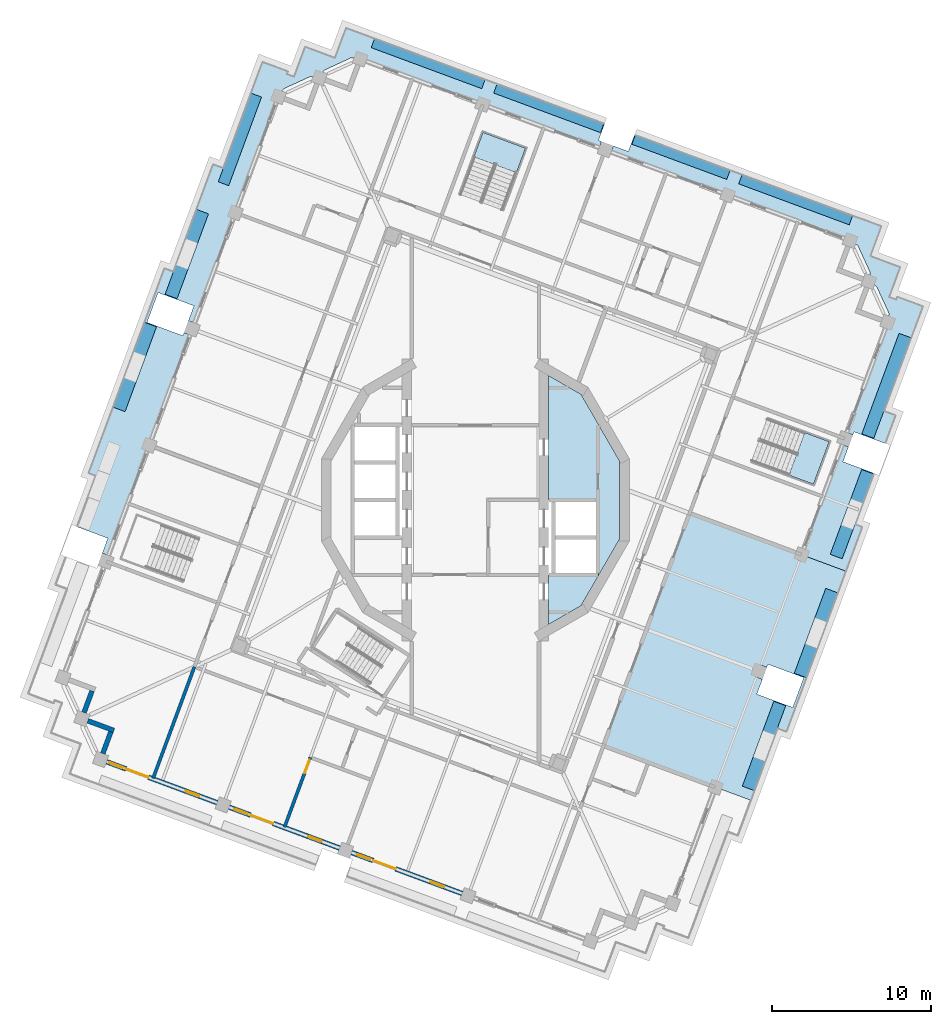
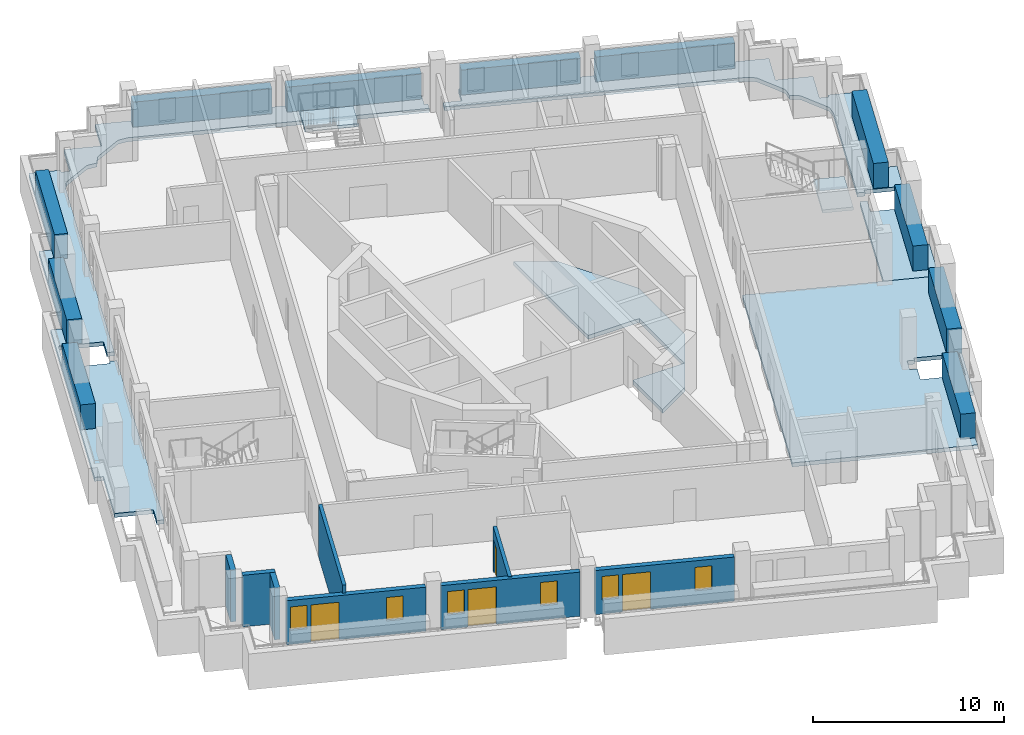
# One storey, part 3 of 18: 11 plates, 8 walls, 7 slabs, 6 windows, 4 doors, 10 openings, 2 elements without a shape of their own.
"""IFC4 building model written with IfcOpenShell, lengths in metres."""

from ifc_helpers import new_model, si_unit, direction, frame, frame_2d, origin, origin_2d, place, context, subcontext, project, spatial, polyline, rectangle, outline, extrude, material, layer, layer_set, type_object, element, fill, aggregate, save


model = new_model("IFC4")

# Units and contexts
model_context = context("Model", 3, precision=1e-05, world=origin(), true_north=direction((0.0, 1.0)))
body_context = subcontext(model_context, "Body", "Model", "MODEL_VIEW")
ifc_project = project(units=[si_unit("LENGTHUNIT", "METRE"), si_unit("AREAUNIT", "SQUARE_METRE"), si_unit("VOLUMEUNIT", "CUBIC_METRE"), si_unit("PLANEANGLEUNIT", "RADIAN"), si_unit("MASSUNIT", "GRAM", prefix="KILO")], contexts=[model_context])

# Site, building, storey
site_placement = place(None, origin())
site = spatial("IfcSite", under=ifc_project, at=site_placement, CompositionType="ELEMENT")
building_placement = place(site_placement, origin())
building = spatial("IfcBuilding", under=site, at=building_placement, Name="Cantera Rosa Tower", CompositionType="ELEMENT")
storey_placement = place(building_placement, frame((0.0, 0.0, 338.5)))
storey = spatial("IfcBuildingStorey", under=building, at=storey_placement, Name="L76", CompositionType="ELEMENT", Elevation=338.5)

# Slabs
ifc_material_1 = material(Name="Concrete C35/45", Category="concrete")
ifc_layer_1 = layer(ifc_material_1, 0.25)
ifc_layer_set_1 = layer_set([ifc_layer_1], Name="COMPOSITE FLOOR SLAB 250 C35/45")
slab_type_1 = type_object("IfcSlabType", Name="COMPOSITE FLOOR SLAB 250 C35/45", PredefinedType="FLOOR", material=ifc_layer_set_1)
slab_1_placement = place(storey_placement, frame((0.0, 0.0, -0.25)))
element("IfcSlab", 1, at=slab_1_placement, inside=storey, type_object=slab_type_1, Name="SLAB L76 floor 3", PredefinedType="FLOOR", context=body_context, shape_type="SweptSolid", body=[
    extrude(outline(polyline([(4.60009765625, 7.804931640625), (6.6318359375, 6.6318359375), (9.059326171875, 2.427490234375), (9.059326171875, -2.427490234375), (6.6318359375, -6.6318359375), (4.60009765625, -7.804931640625), (4.60009765625, -4.699951171875), (7.699951171875, -4.699951171875), (7.699951171875, -2.35009765625), (7.699951171875, 0.0), (4.60009765625, 0.0), (4.60009765625, 7.804931640625)])), origin(), (0.0, 0.0, 1.0), 0.25),
])
ifc_material_2 = material(Name="Concrete C35/45", Category="concrete")
ifc_layer_2 = layer(ifc_material_2, 0.25)
ifc_layer_set_2 = layer_set([ifc_layer_2], Name="LOGGIA SLAB 250 C35/45")
slab_type_2 = type_object("IfcSlabType", Name="LOGGIA SLAB 250 C35/45", PredefinedType="FLOOR", material=ifc_layer_set_2)
slab_2_placement = place(storey_placement, frame((0.0, 0.0, -0.25)))
element("IfcSlab", 2, at=slab_2_placement, inside=storey, type_object=slab_type_2, Name="LOGGIA SLAB L76 2", PredefinedType="FLOOR", context=body_context, shape_type="SweptSolid", body=[
    extrude(outline(polyline([(-15.828369140625, 20.81884765625), (-13.359619140625, 27.480712890625), (-11.787841796875, 26.898193359375), (-11.84912109375, 26.733154296875), (-11.380126953125, 26.559326171875), (-11.20654296875, 27.0283203125), (-10.685302734375, 28.434814453125), (-9.27880859375, 27.91357421875), (-8.809814453125, 27.73974609375), (-8.63623046875, 28.208740234375), (-8.114990234375, 29.615234375), (-6.70849609375, 29.093994140625), (-0.42578125, 26.765869140625), (2.38720703125, 25.723388671875), (7.26318359375, 23.91650390625), (8.10693359375, 23.603759765625), (7.724853515625, 22.572265625), (7.912353515625, 22.502685546875), (7.7734375, 22.127685546875), (-6.25048828125, 27.32470703125), (-7.2294921875, 27.6875), (-7.6962890625, 27.74755859375), (-7.7255859375, 27.750732421875), (-7.7548828125, 27.751220703125), (-7.784423828125, 27.74853515625), (-7.813232421875, 27.7431640625), (-7.841552734375, 27.735107421875), (-7.868896484375, 27.72412109375), (-9.4111328125, 27.015625), (-9.437255859375, 27.002197265625), (-9.4619140625, 26.986083984375), (-9.48486328125, 26.9677734375), (-9.505859375, 26.947021484375), (-9.52490234375, 26.924560546875), (-9.54150390625, 26.900146484375), (-9.800048828125, 26.507080078125), (-10.2666015625, 26.567138671875), (-10.2958984375, 26.5703125), (-10.325439453125, 26.57080078125), (-10.354736328125, 26.568115234375), (-10.383544921875, 26.562744140625), (-10.411865234375, 26.554443359375), (-10.439208984375, 26.543701171875), (-11.9814453125, 25.835205078125), (-12.007568359375, 25.82177734375), (-12.0322265625, 25.8056640625), (-12.05517578125, 25.787353515625), (-12.076171875, 25.7666015625), (-12.09521484375, 25.744140625), (-12.11181640625, 25.7197265625), (-12.370361328125, 25.32666015625), (-12.733154296875, 24.347412109375), (-17.63818359375, 11.111328125), (-18.01318359375, 11.250244140625), (-17.665771484375, 12.18798828125), (-19.916259765625, 13.02197265625), (-20.611083984375, 11.146484375), (-18.360595703125, 10.3125), (-18.291259765625, 10.5), (-17.916015625, 10.361083984375), (-23.044921875, -3.47900390625), (-23.419921875, -3.340087890625), (-23.072509765625, -2.40234375), (-25.012451171875, -1.68359375), (-23.819580078125, 1.53515625), (-24.2685546875, 1.701416015625), (-19.5166015625, 14.524169921875), (-18.9580078125, 14.317138671875), (-16.461669921875, 21.053466796875), (-15.828369140625, 20.81884765625)])), origin(), (0.0, 0.0, 1.0), 0.25),
])
slab_3_placement = place(storey_placement, frame((0.0, 0.0, -0.25)))
element("IfcSlab", 3, at=slab_3_placement, inside=storey, type_object=slab_type_2, Name="LOGGIA SLAB L76 4", PredefinedType="FLOOR", context=body_context, shape_type="SweptSolid", body=[
    extrude(outline(polyline([(25.46435546875, 17.179931640625), (24.76953125, 15.3046875), (25.23095703125, 15.1337890625), (26.644775390625, 14.609619140625), (26.120849609375, 13.19580078125), (25.949951171875, 12.734375), (26.411376953125, 12.563232421875), (26.47802734375, 12.743408203125), (28.072021484375, 12.152587890625), (25.6357421875, 5.578369140625), (26.356689453125, 5.311279296875), (25.707275390625, 3.558837890625), (23.767578125, 4.27783203125), (23.697998046875, 4.09033203125), (23.322998046875, 4.229248046875), (25.88720703125, 11.1494140625), (25.947509765625, 11.6162109375), (25.95068359375, 11.6455078125), (25.950927734375, 11.6748046875), (25.948486328125, 11.7041015625), (25.943115234375, 11.733154296875), (25.934814453125, 11.76123046875), (25.923828125, 11.788818359375), (25.215576171875, 13.330810546875), (25.201904296875, 13.35693359375), (25.18603515625, 13.381591796875), (25.16748046875, 13.404541015625), (25.14697265625, 13.42578125), (25.12451171875, 13.444580078125), (25.10009765625, 13.461181640625), (24.706787109375, 13.7197265625), (24.76708984375, 14.186279296875), (24.770263671875, 14.2158203125), (24.7705078125, 14.2451171875), (24.76806640625, 14.2744140625), (24.7626953125, 14.303466796875), (24.75439453125, 14.331787109375), (24.743408203125, 14.35888671875), (24.03515625, 15.901123046875), (24.021484375, 15.92724609375), (24.005615234375, 15.951904296875), (23.987060546875, 15.974853515625), (23.966552734375, 15.99609375), (23.944091796875, 16.014892578125), (23.919677734375, 16.031494140625), (23.526611328125, 16.2900390625), (8.5234375, 21.849853515625), (8.66259765625, 22.224853515625), (9.60009765625, 21.87744140625), (9.982421875, 22.90869140625), (10.076171875, 22.8740234375), (14.9521484375, 21.067138671875), (17.76513671875, 20.024658203125), (24.047607421875, 17.696533203125), (24.050537109375, 17.7041015625), (25.46435546875, 17.179931640625)])), origin(), (0.0, 0.0, 1.0), 0.25),
])
slab_4_placement = place(storey_placement, frame((0.0, 0.0, -0.25)))
element("IfcSlab", 4, at=slab_4_placement, inside=storey, type_object=slab_type_2, Name="LOGGIA SLAB L76 5", PredefinedType="FLOOR", context=body_context, shape_type="SweptSolid", body=[
    extrude(outline(polyline([(25.012451171875, 1.68359375), (23.819580078125, -1.53515625), (24.2685546875, -1.701416015625), (23.244384765625, -4.465087890625), (20.48046875, -3.44091796875), (23.044921875, 3.47900390625), (23.419921875, 3.340087890625), (23.072509765625, 2.40234375), (25.012451171875, 1.68359375)])), origin(), (0.0, 0.0, 1.0), 0.25),
])

# Plates
ifc_material_3 = material(Name="Cantera stone planter with soil", Category="masonry")
plate_type_1 = type_object("IfcPlateType", Name="PLANTER 600", PredefinedType="USERDEFINED", material=ifc_material_3)
plate_1_placement = place(storey_placement, frame((20.098876953125, 18.83984375, 0.0), z_axis=(0.0, 0.0, 1.0), x_axis=(-0.937686936924, 0.347481234489, 0.0)))
element("IfcPlate", 5, at=plate_1_placement, inside=storey, type_object=plate_type_1, Name="PLANTER L76-01", ObjectType="PLANTER", PredefinedType="USERDEFINED", context=body_context, shape_type="SweptSolid", body=[
    extrude(rectangle(XDim=7.39990234375, YDim=0.60009765625, at=origin_2d()), origin(), (0.0, 0.0, 1.0), 1.60009765625),
])
plate_2_placement = place(storey_placement, frame((12.902099609375, 21.5068359375, 0.0), z_axis=(0.0, 0.0, 1.0), x_axis=(-0.937686936924, 0.347481234489, 0.0)))
element("IfcPlate", 6, at=plate_2_placement, inside=storey, type_object=plate_type_1, Name="PLANTER L76-02", ObjectType="PLANTER", PredefinedType="USERDEFINED", context=body_context, shape_type="SweptSolid", body=[
    extrude(rectangle(XDim=6.35009765625, YDim=0.60009765625, at=origin_2d()), origin(), (0.0, 0.0, 1.0), 1.60009765625),
])
plate_3_placement = place(storey_placement, frame((4.603759765625, 24.58203125, 0.0), z_axis=(0.0, 0.0, 1.0), x_axis=(-0.937686936924, 0.347481234489, 0.0)))
element("IfcPlate", 7, at=plate_3_placement, inside=storey, type_object=plate_type_1, Name="PLANTER L76-03", ObjectType="PLANTER", PredefinedType="USERDEFINED", context=body_context, shape_type="SweptSolid", body=[
    extrude(rectangle(XDim=7.14990234375, YDim=0.60009765625, at=origin_2d()), origin(), (0.0, 0.0, 1.0), 1.60009765625),
])
plate_4_placement = place(storey_placement, frame((-2.968017578125, 27.387939453125, 0.0), z_axis=(0.0, 0.0, 1.0), x_axis=(-0.937686936924, 0.347481234489, 0.0)))
element("IfcPlate", 8, at=plate_4_placement, inside=storey, type_object=plate_type_1, Name="PLANTER L76-04", ObjectType="PLANTER", PredefinedType="USERDEFINED", context=body_context, shape_type="SweptSolid", body=[
    extrude(rectangle(XDim=7.39990234375, YDim=0.60009765625, at=origin_2d()), origin(), (0.0, 0.0, 1.0), 1.60009765625),
])
ifc_material_4 = material(Name="Cantera stone planter with soil", Category="masonry")
plate_type_2 = type_object("IfcPlateType", Name="PLANTER 700", PredefinedType="USERDEFINED", material=ifc_material_4)
plate_5_placement = place(storey_placement, frame((-14.783203125, 22.632080078125, 0.0), z_axis=(0.0, 0.0, 1.0), x_axis=(-0.347481234489, -0.937686936924, 0.0)))
element("IfcPlate", 9, at=plate_5_placement, inside=storey, type_object=plate_type_2, Name="PLANTER L76-05", ObjectType="PLANTER", PredefinedType="USERDEFINED", context=body_context, shape_type="SweptSolid", body=[
    extrude(rectangle(XDim=5.929931640625, YDim=0.699951171875, at=origin_2d()), origin(), (0.0, 0.0, 1.0), 1.60009765625),
])
ifc_material_5 = material(Name="Cantera stone planter with soil", Category="masonry")
plate_type_3 = type_object("IfcPlateType", Name="PLANTER 800", PredefinedType="USERDEFINED", material=ifc_material_5)
for number, where, z_axis, x_axis, name in (
    (10, (-18.1162109375, 15.43701171875, 0.0), (0.0, 0.0, 1.0), (-0.347481234489, -0.937686936924, 0.0), "PLANTER L76-06"),
    (11, (-21.37841796875, 8.348876953125, 0.0), (0.0, 0.0, 1.0), (-0.347481234489, -0.937686936924, 0.0), "PLANTER L76-07"),
    (12, (18.1162109375, -15.43701171875, 0.0), (0.0, 0.0, 1.0), (0.347481234489, 0.937686936924, 0.0), "PLANTER L76-15"),
    (13, (21.37841796875, -8.348876953125, 0.0), (0.0, 0.0, 1.0), (0.347481234489, 0.937686936924, 0.0), "PLANTER L76-16"),
    (14, (23.633056640625, -0.887451171875, 0.0), (0.0, 0.0, 1.0), (0.347481234489, 0.937686936924, 0.0), "PLANTER L76-17"),
):
    element("IfcPlate", number, at=place(storey_placement, frame(where, z_axis=z_axis, x_axis=x_axis)), inside=storey, type_object=plate_type_3, Name=name, ObjectType="PLANTER", PredefinedType="USERDEFINED", context=body_context, shape_type="SweptSolid", body=[
        extrude(rectangle(XDim=5.679931640625, YDim=0.800048828125, at=origin_2d()), origin(), (0.0, 0.0, 1.0), 1.60009765625),
    ])
plate_6_placement = place(storey_placement, frame((25.798095703125, 7.167236328125, 0.0), z_axis=(0.0, 0.0, 1.0), x_axis=(0.347481234489, 0.937686936924, 0.0)))
element("IfcPlate", 15, at=plate_6_placement, inside=storey, type_object=plate_type_3, Name="PLANTER L76-18", ObjectType="PLANTER", PredefinedType="USERDEFINED", context=body_context, shape_type="SweptSolid", body=[
    extrude(rectangle(XDim=6.72998046875, YDim=0.800048828125, at=origin_2d()), origin(), (0.0, 0.0, 1.0), 1.60009765625),
])

# Stair, slab
ifc_material_6 = material(Name="Concrete C35/45", Category="concrete")
stair_type = type_object("IfcStairType", Name="EXIT STAIR 1350 DOGLEG", PredefinedType="HALF_TURN_STAIR", material=ifc_material_6)
stair_1_placement = place(storey_placement, origin())
stair_1 = element("IfcStair", 16, at=stair_1_placement, inside=storey, type_object=stair_type, Name="L76 ST-61", PredefinedType="HALF_TURN_STAIR")
ifc_material_7 = material(Name="Concrete C35/45", Category="concrete")
ifc_layer_3 = layer(ifc_material_7, 0.199951171875)
ifc_layer_set_3 = layer_set([ifc_layer_3], Name="STAIR LANDING 200")
slab_type_3 = type_object("IfcSlabType", Name="STAIR LANDING 200", PredefinedType="LANDING", material=ifc_layer_set_3)
slab_5_placement = place(storey_placement, frame((0.0, 0.0, 1.60009765625)))
slab_5 = element("IfcSlab", 17, at=slab_5_placement, type_object=slab_type_3, Name="ST-61 landing 1", PredefinedType="LANDING", context=body_context, shape_type="SweptSolid", body=[
    extrude(outline(polyline([(19.67626953125, 1.56005859375), (21.2158203125, 0.989501953125), (22.206298828125, 3.661865234375), (20.66650390625, 4.232421875), (19.67626953125, 1.56005859375)])), origin(), (0.0, 0.0, 1.0), 0.199951171875),
])
aggregate(stair_1, [slab_5])

stair_2_placement = place(storey_placement, origin())
stair_2 = element("IfcStair", 18, at=stair_2_placement, inside=storey, type_object=stair_type, Name="L76 ST-62", PredefinedType="HALF_TURN_STAIR")
slab_6_placement = place(storey_placement, frame((0.0, 0.0, 1.60009765625)))
slab_6 = element("IfcSlab", 19, at=slab_6_placement, type_object=slab_type_3, Name="ST-62 landing 1", PredefinedType="LANDING", context=body_context, shape_type="SweptSolid", body=[
    extrude(outline(polyline([(2.573974609375, 20.543701171875), (3.14453125, 22.08349609375), (0.47216796875, 23.07373046875), (-0.098388671875, 21.5341796875), (2.573974609375, 20.543701171875)])), origin(), (0.0, 0.0, 1.0), 0.199951171875),
])
aggregate(stair_2, [slab_6])

# Slab
ifc_material_8 = material(Name="Concrete C35/45", Category="concrete")
ifc_layer_4 = layer(ifc_material_8, 0.25)
ifc_layer_set_4 = layer_set([ifc_layer_4], Name="TERRACE SLAB 250 C35/45")
slab_type_4 = type_object("IfcSlabType", Name="TERRACE SLAB 250 C35/45", PredefinedType="FLOOR", material=ifc_layer_set_4)
slab_7_placement = place(storey_placement, frame((0.0, 0.0, -0.25)))
element("IfcSlab", 20, at=slab_7_placement, inside=storey, type_object=slab_type_4, Name="TERRACE SLAB L76 1", PredefinedType="FLOOR", context=body_context, shape_type="SweptSolid", body=[
    extrude(outline(polyline([(19.5166015625, -14.524169921875), (18.9580078125, -14.317138671875), (17.27880859375, -18.848388671875), (15.07373046875, -18.031494140625), (8.041015625, -15.42529296875), (13.447998046875, -0.8349609375), (20.48046875, -3.44091796875), (23.244384765625, -4.465087890625), (19.5166015625, -14.524169921875)]), holes=[polyline([(19.916259765625, -13.02197265625), (20.611083984375, -11.146484375), (18.360595703125, -10.3125), (18.291259765625, -10.5), (17.916015625, -10.361083984375), (17.841552734375, -10.5625), (17.63818359375, -11.111328125), (18.01318359375, -11.250244140625), (17.665771484375, -12.18798828125), (19.916259765625, -13.02197265625)])]), origin(), (0.0, 0.0, 1.0), 0.25),
])

# Walls
ifc_material_9 = material(Name="Hollow clay masonry with cantera stone cladding", Category="masonry")
ifc_layer_5 = layer(ifc_material_9, 0.300048828125)
ifc_layer_set_5 = layer_set([ifc_layer_5], Name="EW-LOGGIA 300")
wall_type_1 = type_object("IfcWallType", Name="EW-LOGGIA 300", PredefinedType="SOLIDWALL", material=ifc_layer_set_5)
wall_1_placement = place(storey_placement, frame((-24.06396484375, -11.985107421875, 0.0), z_axis=(0.0, 0.0, 1.0), x_axis=(-0.347522732201, -0.937671557958, 0.0)))
element("IfcWall", 21, at=wall_1_placement, inside=storey, type_object=wall_type_1, Name="EN-L76-W12b", PredefinedType="SOLIDWALL", context=body_context, shape_type="SweptSolid", body=[
    extrude(rectangle(XDim=1.449951171875, YDim=0.300048828125, at=frame_2d((0.72509765625, 0.0))), origin(), (0.0, 0.0, 1.0), 3.300048828125),
])
wall_2_placement = place(storey_placement, frame((-24.331787109375, -13.858642578125, 0.0), z_axis=(0.0, 0.0, 1.0), x_axis=(0.937669639538, -0.34752790836, 0.0)))
element("IfcWall", 22, at=wall_2_placement, inside=storey, type_object=wall_type_1, Name="EN-L76-W13a", PredefinedType="SOLIDWALL", context=body_context, shape_type="SweptSolid", body=[
    extrude(rectangle(XDim=1.75, YDim=0.300048828125, at=frame_2d((0.875, 0.0))), origin(), (0.0, 0.0, 1.0), 3.300048828125),
])
wall_3_placement = place(storey_placement, frame((-22.883544921875, -14.555419921875, 0.0), z_axis=(0.0, 0.0, 1.0), x_axis=(-0.347522732201, -0.937671557958, 0.0)))
element("IfcWall", 23, at=wall_3_placement, inside=storey, type_object=wall_type_1, Name="EN-L76-W13b", PredefinedType="SOLIDWALL", context=body_context, shape_type="SweptSolid", body=[
    extrude(rectangle(XDim=1.449951171875, YDim=0.300048828125, at=frame_2d((0.72509765625, 0.0))), origin(), (0.0, 0.0, 1.0), 3.300048828125),
])

# Wall, openings, windows, door
ifc_material_10 = material(Name="Hollow clay masonry with cantera stone cladding", Category="masonry")
ifc_layer_6 = layer(ifc_material_10, 0.300048828125)
ifc_layer_set_6 = layer_set([ifc_layer_6], Name="EW-LOGGIA 300 H2820")
wall_type_2 = type_object("IfcWallType", Name="EW-LOGGIA 300 H2820", PredefinedType="SOLIDWALL", material=ifc_layer_set_6)
wall_4_placement = place(storey_placement, frame((-23.1513671875, -16.428955078125, 0.0), z_axis=(0.0, 0.0, 1.0), x_axis=(0.937676706507, -0.347508840281, 0.0)))
wall_4 = element("IfcWall", 24, at=wall_4_placement, inside=storey, type_object=wall_type_2, Name="EN-L76-W14", PredefinedType="SOLIDWALL", context=body_context, shape_type="SweptSolid", body=[
    extrude(rectangle(XDim=7.39990234375, YDim=0.300048828125, at=frame_2d((3.699951171875, 0.0))), origin(), (0.0, 0.0, 1.0), 2.820068359375),
])
opening_1_placement = place(wall_4_placement, frame((0.199951171875, 0.0, 0.89990234375)))
opening_1 = element("IfcOpeningElement", 25, at=opening_1_placement, cuts=wall_4, Name="Opening L76-W28", PredefinedType="OPENING", context=body_context, shape_type="SweptSolid", body=[
    extrude(rectangle(XDim=0.89990234375, YDim=1.5, at=frame_2d((0.449951171875, 0.75))), frame((0.0, 0.159912109375, 0.0), z_axis=(0.0, -1.0, 0.0), x_axis=(1.0, 0.0, 0.0)), (0.0, 0.0, 1.0), 0.320068359375),
])
opening_2_placement = place(wall_4_placement, frame((1.300048828125, 0.0, 0.0)))
opening_2 = element("IfcOpeningElement", 26, at=opening_2_placement, cuts=wall_4, Name="Opening L76-TD29", PredefinedType="OPENING", context=body_context, shape_type="SweptSolid", body=[
    extrude(rectangle(XDim=1.5, YDim=2.39990234375, at=frame_2d((0.75, 1.199951171875))), frame((0.0, 0.159912109375, 0.0), z_axis=(0.0, -1.0, 0.0), x_axis=(1.0, 0.0, 0.0)), (0.0, 0.0, 1.0), 0.320068359375),
])
opening_3_placement = place(wall_4_placement, frame((5.300048828125, 0.0, 0.89990234375)))
opening_3 = element("IfcOpeningElement", 27, at=opening_3_placement, cuts=wall_4, Name="Opening L76-W30", PredefinedType="OPENING", context=body_context, shape_type="SweptSolid", body=[
    extrude(rectangle(XDim=0.89990234375, YDim=1.5, at=frame_2d((0.449951171875, 0.75))), frame((0.0, 0.159912109375, 0.0), z_axis=(0.0, -1.0, 0.0), x_axis=(1.0, 0.0, 0.0)), (0.0, 0.0, 1.0), 0.320068359375),
])
ifc_material_11 = material(Name="Aluminium frame with clear glass", Category="aluminium")
window_type = type_object("IfcWindowType", Name="Residential window 900x1500", PartitioningType="SINGLE_PANEL", PredefinedType="WINDOW", material=ifc_material_11)
window_1_placement = place(opening_1_placement, origin())
window_1 = element("IfcWindow", 28, at=window_1_placement, inside=storey, type_object=window_type, Name="WINDOW L76-W28", OverallHeight=1.5, OverallWidth=0.89990234375, PartitioningType="SINGLE_PANEL", PredefinedType="WINDOW", context=body_context, shape_type="SweptSolid", body=[
    extrude(rectangle(XDim=0.89990234375, YDim=1.5, at=frame_2d((0.449951171875, 0.75))), frame((0.0, 0.030029296875, 0.0), z_axis=(0.0, -1.0, 0.0), x_axis=(1.0, 0.0, 0.0)), (0.0, 0.0, 1.0), 0.06005859375),
])
fill(opening_1, window_1)
window_2_placement = place(opening_3_placement, origin())
window_2 = element("IfcWindow", 29, at=window_2_placement, inside=storey, type_object=window_type, Name="WINDOW L76-W30", OverallHeight=1.5, OverallWidth=0.89990234375, PartitioningType="SINGLE_PANEL", PredefinedType="WINDOW", context=body_context, shape_type="SweptSolid", body=[
    extrude(rectangle(XDim=0.89990234375, YDim=1.5, at=frame_2d((0.449951171875, 0.75))), frame((0.0, 0.030029296875, 0.0), z_axis=(0.0, -1.0, 0.0), x_axis=(1.0, 0.0, 0.0)), (0.0, 0.0, 1.0), 0.06005859375),
])
fill(opening_3, window_2)
ifc_material_12 = material(Name="Aluminium frame with clear glass", Category="aluminium")
door_type_1 = type_object("IfcDoorType", Name="TD-R 1500x2400", OperationType="NOTDEFINED", PredefinedType="DOOR", material=ifc_material_12)
door_1_placement = place(opening_2_placement, origin())
door_1 = element("IfcDoor", 30, at=door_1_placement, inside=storey, type_object=door_type_1, Name="LOGGIA DOOR L76-TD29", OperationType="SLIDING_TO_LEFT", OverallHeight=2.39990234375, OverallWidth=1.5, PredefinedType="DOOR", context=body_context, shape_type="SweptSolid", body=[
    extrude(rectangle(XDim=1.5, YDim=2.39990234375, at=frame_2d((0.75, 1.199951171875))), frame((0.0, 0.02490234375, 0.0), z_axis=(0.0, -1.0, 0.0), x_axis=(1.0, 0.0, 0.0)), (0.0, 0.0, 1.0), 0.050048828125),
])
fill(opening_2, door_1)

wall_5_placement = place(storey_placement, frame((-15.46240234375, -19.2783203125, 0.0), z_axis=(0.0, 0.0, 1.0), x_axis=(0.937680690562, -0.34749808999, 0.0)))
wall_5 = element("IfcWall", 31, at=wall_5_placement, inside=storey, type_object=wall_type_2, Name="EN-L76-W15", PredefinedType="SOLIDWALL", context=body_context, shape_type="SweptSolid", body=[
    extrude(rectangle(XDim=7.400146484375, YDim=0.300048828125, at=frame_2d((3.7001953125, 0.0))), origin(), (0.0, 0.0, 1.0), 2.820068359375),
])
opening_4_placement = place(wall_5_placement, frame((0.35009765625, 0.0, 0.89990234375)))
opening_4 = element("IfcOpeningElement", 32, at=opening_4_placement, cuts=wall_5, Name="Opening L76-W31", PredefinedType="OPENING", context=body_context, shape_type="SweptSolid", body=[
    extrude(rectangle(XDim=0.89990234375, YDim=1.5, at=frame_2d((0.449951171875, 0.75))), frame((0.0, 0.159912109375, 0.0), z_axis=(0.0, -1.0, 0.0), x_axis=(1.0, 0.0, 0.0)), (0.0, 0.0, 1.0), 0.320068359375),
])
opening_5_placement = place(wall_5_placement, frame((1.449951171875, 0.0, 0.0)))
opening_5 = element("IfcOpeningElement", 33, at=opening_5_placement, cuts=wall_5, Name="Opening L76-TD32", PredefinedType="OPENING", context=body_context, shape_type="SweptSolid", body=[
    extrude(rectangle(XDim=1.5, YDim=2.39990234375, at=frame_2d((0.75, 1.199951171875))), frame((0.0, 0.159912109375, 0.0), z_axis=(0.0, -1.0, 0.0), x_axis=(1.0, 0.0, 0.0)), (0.0, 0.0, 1.0), 0.320068359375),
])
opening_6_placement = place(wall_5_placement, frame((5.300048828125, 0.0, 0.89990234375)))
opening_6 = element("IfcOpeningElement", 34, at=opening_6_placement, cuts=wall_5, Name="Opening L76-W33", PredefinedType="OPENING", context=body_context, shape_type="SweptSolid", body=[
    extrude(rectangle(XDim=0.89990234375, YDim=1.5, at=frame_2d((0.449951171875, 0.75))), frame((0.0, 0.159912109375, 0.0), z_axis=(0.0, -1.0, 0.0), x_axis=(1.0, 0.0, 0.0)), (0.0, 0.0, 1.0), 0.320068359375),
])
window_3_placement = place(opening_4_placement, origin())
window_3 = element("IfcWindow", 35, at=window_3_placement, inside=storey, type_object=window_type, Name="WINDOW L76-W31", OverallHeight=1.5, OverallWidth=0.89990234375, PartitioningType="SINGLE_PANEL", PredefinedType="WINDOW", context=body_context, shape_type="SweptSolid", body=[
    extrude(rectangle(XDim=0.89990234375, YDim=1.5, at=frame_2d((0.449951171875, 0.75))), frame((0.0, 0.030029296875, 0.0), z_axis=(0.0, -1.0, 0.0), x_axis=(1.0, 0.0, 0.0)), (0.0, 0.0, 1.0), 0.06005859375),
])
fill(opening_4, window_3)
window_4_placement = place(opening_6_placement, origin())
window_4 = element("IfcWindow", 36, at=window_4_placement, inside=storey, type_object=window_type, Name="WINDOW L76-W33", OverallHeight=1.5, OverallWidth=0.89990234375, PartitioningType="SINGLE_PANEL", PredefinedType="WINDOW", context=body_context, shape_type="SweptSolid", body=[
    extrude(rectangle(XDim=0.89990234375, YDim=1.5, at=frame_2d((0.449951171875, 0.75))), frame((0.0, 0.030029296875, 0.0), z_axis=(0.0, -1.0, 0.0), x_axis=(1.0, 0.0, 0.0)), (0.0, 0.0, 1.0), 0.06005859375),
])
fill(opening_6, window_4)
door_2_placement = place(opening_5_placement, origin())
door_2 = element("IfcDoor", 37, at=door_2_placement, inside=storey, type_object=door_type_1, Name="LOGGIA DOOR L76-TD32", OperationType="SLIDING_TO_LEFT", OverallHeight=2.39990234375, OverallWidth=1.5, PredefinedType="DOOR", context=body_context, shape_type="SweptSolid", body=[
    extrude(rectangle(XDim=1.5, YDim=2.39990234375, at=frame_2d((0.75, 1.199951171875))), frame((0.0, 0.02490234375, 0.0), z_axis=(0.0, -1.0, 0.0), x_axis=(1.0, 0.0, 0.0)), (0.0, 0.0, 1.0), 0.050048828125),
])
fill(opening_5, door_2)

wall_6_placement = place(storey_placement, frame((-7.7734375, -22.127685546875, 0.0), z_axis=(0.0, 0.0, 1.0), x_axis=(0.937680690562, -0.34749808999, 0.0)))
wall_6 = element("IfcWall", 38, at=wall_6_placement, inside=storey, type_object=wall_type_2, Name="EN-L76-W16", PredefinedType="SOLIDWALL", context=body_context, shape_type="SweptSolid", body=[
    extrude(rectangle(XDim=7.400146484375, YDim=0.300048828125, at=frame_2d((3.7001953125, 0.0))), origin(), (0.0, 0.0, 1.0), 2.820068359375),
])
opening_7_placement = place(wall_6_placement, frame((0.35009765625, 0.0, 0.89990234375)))
opening_7 = element("IfcOpeningElement", 39, at=opening_7_placement, cuts=wall_6, Name="Opening L76-W34", PredefinedType="OPENING", context=body_context, shape_type="SweptSolid", body=[
    extrude(rectangle(XDim=0.89990234375, YDim=1.5, at=frame_2d((0.449951171875, 0.75))), frame((0.0, 0.159912109375, 0.0), z_axis=(0.0, -1.0, 0.0), x_axis=(1.0, 0.0, 0.0)), (0.0, 0.0, 1.0), 0.320068359375),
])
opening_8_placement = place(wall_6_placement, frame((1.449951171875, 0.0, 0.0)))
opening_8 = element("IfcOpeningElement", 40, at=opening_8_placement, cuts=wall_6, Name="Opening L76-TD35", PredefinedType="OPENING", context=body_context, shape_type="SweptSolid", body=[
    extrude(rectangle(XDim=1.5, YDim=2.39990234375, at=frame_2d((0.75, 1.199951171875))), frame((0.0, 0.159912109375, 0.0), z_axis=(0.0, -1.0, 0.0), x_axis=(1.0, 0.0, 0.0)), (0.0, 0.0, 1.0), 0.320068359375),
])
opening_9_placement = place(wall_6_placement, frame((5.300048828125, 0.0, 0.89990234375)))
opening_9 = element("IfcOpeningElement", 41, at=opening_9_placement, cuts=wall_6, Name="Opening L76-W36", PredefinedType="OPENING", context=body_context, shape_type="SweptSolid", body=[
    extrude(rectangle(XDim=0.89990234375, YDim=1.5, at=frame_2d((0.449951171875, 0.75))), frame((0.0, 0.159912109375, 0.0), z_axis=(0.0, -1.0, 0.0), x_axis=(1.0, 0.0, 0.0)), (0.0, 0.0, 1.0), 0.320068359375),
])
window_5_placement = place(opening_7_placement, origin())
window_5 = element("IfcWindow", 42, at=window_5_placement, inside=storey, type_object=window_type, Name="WINDOW L76-W34", OverallHeight=1.5, OverallWidth=0.89990234375, PartitioningType="SINGLE_PANEL", PredefinedType="WINDOW", context=body_context, shape_type="SweptSolid", body=[
    extrude(rectangle(XDim=0.89990234375, YDim=1.5, at=frame_2d((0.449951171875, 0.75))), frame((0.0, 0.030029296875, 0.0), z_axis=(0.0, -1.0, 0.0), x_axis=(1.0, 0.0, 0.0)), (0.0, 0.0, 1.0), 0.06005859375),
])
fill(opening_7, window_5)
window_6_placement = place(opening_9_placement, origin())
window_6 = element("IfcWindow", 43, at=window_6_placement, inside=storey, type_object=window_type, Name="WINDOW L76-W36", OverallHeight=1.5, OverallWidth=0.89990234375, PartitioningType="SINGLE_PANEL", PredefinedType="WINDOW", context=body_context, shape_type="SweptSolid", body=[
    extrude(rectangle(XDim=0.89990234375, YDim=1.5, at=frame_2d((0.449951171875, 0.75))), frame((0.0, 0.030029296875, 0.0), z_axis=(0.0, -1.0, 0.0), x_axis=(1.0, 0.0, 0.0)), (0.0, 0.0, 1.0), 0.06005859375),
])
fill(opening_9, window_6)
door_3_placement = place(opening_8_placement, origin())
door_3 = element("IfcDoor", 44, at=door_3_placement, inside=storey, type_object=door_type_1, Name="LOGGIA DOOR L76-TD35", OperationType="SLIDING_TO_LEFT", OverallHeight=2.39990234375, OverallWidth=1.5, PredefinedType="DOOR", context=body_context, shape_type="SweptSolid", body=[
    extrude(rectangle(XDim=1.5, YDim=2.39990234375, at=frame_2d((0.75, 1.199951171875))), frame((0.0, 0.02490234375, 0.0), z_axis=(0.0, -1.0, 0.0), x_axis=(1.0, 0.0, 0.0)), (0.0, 0.0, 1.0), 0.050048828125),
])
fill(opening_8, door_3)

# Wall, opening, door
ifc_material_13 = material(Name="Gypsum board partition")
ifc_layer_7 = layer(ifc_material_13, 0.199951171875)
ifc_layer_set_7 = layer_set([ifc_layer_7], Name="PARTITION 200 H2850")
wall_type_3 = type_object("IfcWallType", Name="PARTITION 200 H2850", PredefinedType="PARTITIONING", material=ifc_layer_set_7)
wall_7_placement = place(storey_placement, frame((-11.982421875, -20.535888671875, 0.0), z_axis=(0.0, 0.0, 1.0), x_axis=(0.347453975961, 0.937697037741, 0.0)))
wall_7 = element("IfcWall", 45, at=wall_7_placement, inside=storey, type_object=wall_type_3, Name="PARTITION L76-012", PredefinedType="PARTITIONING", context=body_context, shape_type="SweptSolid", body=[
    extrude(rectangle(XDim=4.669921875, YDim=0.199951171875, at=frame_2d((2.3349609375, 0.0))), origin(), (0.0, 0.0, 1.0), 2.85009765625),
])
opening_10_placement = place(wall_7_placement, frame((3.6201171875, 0.0, 0.0)))
opening_10 = element("IfcOpeningElement", 46, at=opening_10_placement, cuts=wall_7, Name="Opening L76-034", PredefinedType="OPENING", context=body_context, shape_type="SweptSolid", body=[
    extrude(rectangle(XDim=0.89990234375, YDim=2.10009765625, at=frame_2d((0.449951171875, 1.050048828125))), frame((0.0, 0.10986328125, 0.0), z_axis=(0.0, -1.0, 0.0), x_axis=(1.0, 0.0, 0.0)), (0.0, 0.0, 1.0), 0.219970703125),
])
ifc_material_14 = material(Name="Timber door leaf", Category="wood")
door_type_2 = type_object("IfcDoorType", Name="ROOM DOOR 900x2100", OperationType="NOTDEFINED", PredefinedType="DOOR", material=ifc_material_14)
door_4_placement = place(opening_10_placement, origin())
door_4 = element("IfcDoor", 47, at=door_4_placement, inside=storey, type_object=door_type_2, Name="DOOR L76-034", OperationType="NOTDEFINED", OverallHeight=2.10009765625, OverallWidth=0.89990234375, PredefinedType="DOOR", context=body_context, shape_type="SweptSolid", body=[
    extrude(rectangle(XDim=0.89990234375, YDim=2.10009765625, at=frame_2d((0.449951171875, 1.050048828125))), frame((0.0, 0.02490234375, 0.0), z_axis=(0.0, -1.0, 0.0), x_axis=(1.0, 0.0, 0.0)), (0.0, 0.0, 1.0), 0.050048828125),
])
fill(opening_10, door_4)

# Wall
ifc_material_15 = material(Name="Gypsum board partition")
ifc_layer_8 = layer(ifc_material_15, 0.199951171875)
ifc_layer_set_8 = layer_set([ifc_layer_8], Name="PARTY WALL 200 H3350")
wall_type_4 = type_object("IfcWallType", Name="PARTY WALL 200 H3350", PredefinedType="PARTITIONING", material=ifc_layer_set_8)
wall_8_placement = place(storey_placement, frame((-17.638427734375, -10.4736328125, 0.0), z_axis=(0.0, 0.0, 1.0), x_axis=(-0.347488923611, -0.937684087509, 0.0)))
element("IfcWall", 48, at=wall_8_placement, inside=storey, type_object=wall_type_4, Name="PARTY WALL L76-002", PredefinedType="PARTITIONING", context=body_context, shape_type="SweptSolid", body=[
    extrude(rectangle(XDim=7.469970703125, YDim=0.199951171875, at=frame_2d((3.73486328125, 0.0))), origin(), (0.0, 0.0, 1.0), 3.35009765625),
])

save(model, "model.ifc")
